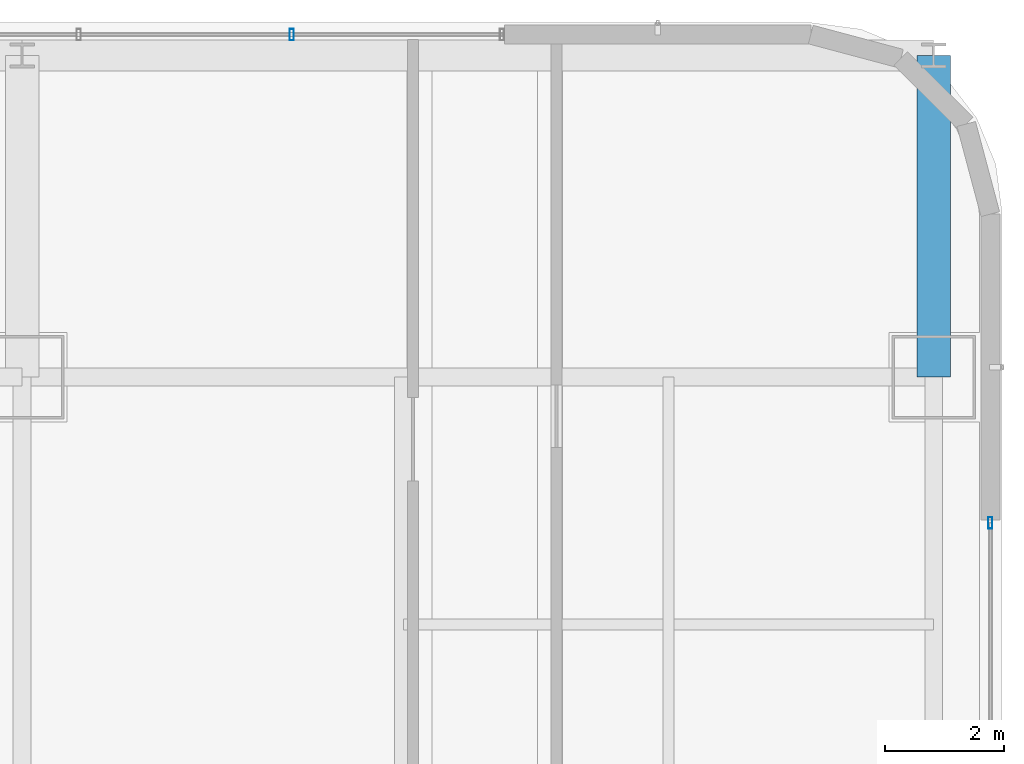
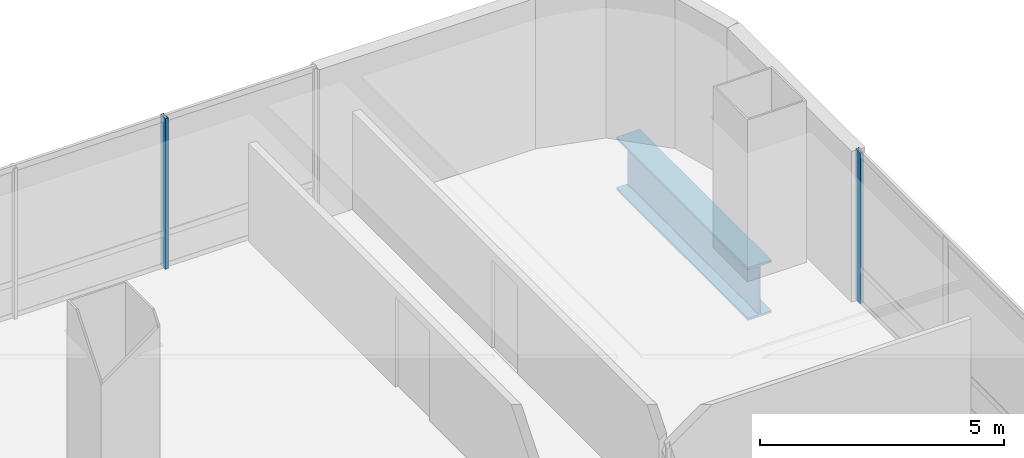
# One storey, part 27 of 47: 2 members, 1 beam, 2 elements without a shape of their own.
"""IFC4 building model written with IfcOpenShell, lengths in metres."""

from ifc_helpers import new_model, si_unit, direction, frame, origin, origin_2d, place, context, subcontext, project, spatial, hollow_rectangle, i_section, extrude, material, material_profile, profile_set, type_object, element, aggregate, save


model = new_model("IFC4")

# Units and contexts
model_context = context("Model", 3, precision=1e-05, world=origin(), true_north=direction((0.0, 1.0)))
body_context = subcontext(model_context, "Body", "Model", "MODEL_VIEW")
ifc_project = project(units=[si_unit("LENGTHUNIT", "METRE"), si_unit("AREAUNIT", "SQUARE_METRE"), si_unit("VOLUMEUNIT", "CUBIC_METRE"), si_unit("PLANEANGLEUNIT", "RADIAN"), si_unit("MASSUNIT", "GRAM", prefix="KILO")], contexts=[model_context])

# Site, building, storey
site_placement = place(None, origin())
site = spatial("IfcSite", under=ifc_project, at=site_placement, CompositionType="ELEMENT")
building_placement = place(site_placement, origin())
building = spatial("IfcBuilding", under=site, at=building_placement, Name="Punatoya Terracotta Tower", CompositionType="ELEMENT")
storey_placement = place(building_placement, frame((0.0, 0.0, 168.14990234375)))
storey = spatial("IfcBuildingStorey", under=building, at=storey_placement, Name="L39", CompositionType="ELEMENT", Elevation=168.14990234375)

# Beam
ifc_material_1 = material(Name="Steel S460", Category="steel")
ifc_material_profile_1 = material_profile(ifc_material_1, i_section(OverallWidth=0.56005859375, OverallDepth=1.320068359375, WebThickness=0.035888671875, FlangeThickness=0.054931640625, FilletRadius=0.01806640625, at=origin_2d()))
ifc_profile_set_1 = profile_set([ifc_material_profile_1], Name="Steel S460")
beam_type = type_object("IfcBeamType", Name="BM-TG-BLK", PredefinedType="BEAM", material=ifc_profile_set_1)
beam_placement = place(storey_placement, frame((19.10009765625, 17.5, -0.8798828125), z_axis=(0.0, 1.0, 0.0), x_axis=(-1.0, 0.0, 0.0)))
element("IfcBeam", 1, at=beam_placement, inside=storey, type_object=beam_type, Name="BM-L39-CANT-N4", PredefinedType="BEAM", context=body_context, shape_type="SweptSolid", body=[
    extrude(i_section(OverallWidth=0.56005859375, OverallDepth=1.320068359375, WebThickness=0.035888671875, FlangeThickness=0.054931640625, FilletRadius=0.01806640625, at=origin_2d()), origin(), (0.0, 0.0, 1.0), 5.39990234375),
])

# Curtain wall, member
ifc_material_2 = material(Name="Aluminium 6063-T6 + Double Low-E Glass", Category="aluminium")
curtain_wall_type = type_object("IfcCurtainWallType", Name="CW-M2", PredefinedType="NOTDEFINED", material=ifc_material_2)
curtain_wall_1_placement = place(storey_placement, origin())
curtain_wall_1 = element("IfcCurtainWall", 2, at=curtain_wall_1_placement, inside=storey, type_object=curtain_wall_type, Name="L39 Curtain Wall CW-L39-E05-1", PredefinedType="NOTDEFINED")
ifc_material_3 = material(Name="Aluminium 6063-T6", Category="aluminium")
ifc_material_profile_2 = material_profile(ifc_material_3, hollow_rectangle(XDim=0.072021484375, YDim=0.195068359375, WallThickness=0.00439453125, at=origin_2d()))
ifc_profile_set_2 = profile_set([ifc_material_profile_2], Name="Aluminium 6063-T6")
member_type = type_object("IfcMemberType", Name="CW-MUL-M2", PredefinedType="MULLION", material=ifc_profile_set_2)
member_1_placement = place(storey_placement, frame((20.050048828125, 15.054931640625, 0.0), z_axis=(0.0, 0.0, 1.0), x_axis=(1.0, 0.0, 0.0)))
member_1 = element("IfcMember", 3, at=member_1_placement, type_object=member_type, Name="CW-L39-E05-1 Mullion 07", PredefinedType="MULLION", context=body_context, shape_type="SweptSolid", body=[
    extrude(hollow_rectangle(XDim=0.072021484375, YDim=0.195068359375, WallThickness=0.00439453125, at=origin_2d()), origin(), (0.0, 0.0, 1.0), 3.77001953125),
])
aggregate(curtain_wall_1, [member_1])

curtain_wall_2_placement = place(storey_placement, origin())
curtain_wall_2 = element("IfcCurtainWall", 4, at=curtain_wall_2_placement, inside=storey, type_object=curtain_wall_type, Name="L39 Curtain Wall CW-L39-N09-1", PredefinedType="NOTDEFINED")
member_2_placement = place(storey_placement, frame((8.324951171875, 23.25, 0.0), z_axis=(0.0, 0.0, 1.0), x_axis=(1.0, 0.0, 0.0)))
member_2 = element("IfcMember", 5, at=member_2_placement, type_object=member_type, Name="CW-L39-N09-1 Mullion 01", PredefinedType="MULLION", context=body_context, shape_type="SweptSolid", body=[
    extrude(hollow_rectangle(XDim=0.072021484375, YDim=0.195068359375, WallThickness=0.00439453125, at=origin_2d()), origin(), (0.0, 0.0, 1.0), 3.77001953125),
])
aggregate(curtain_wall_2, [member_2])

save(model, "model.ifc")
